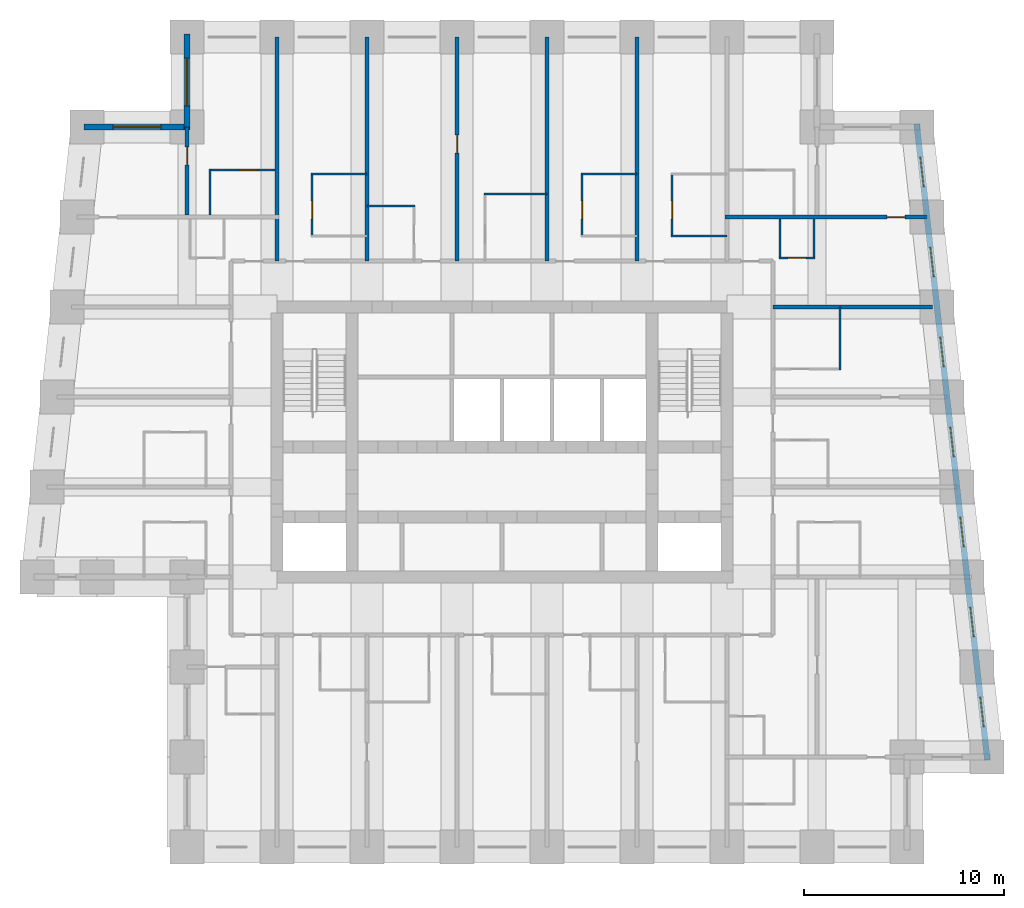
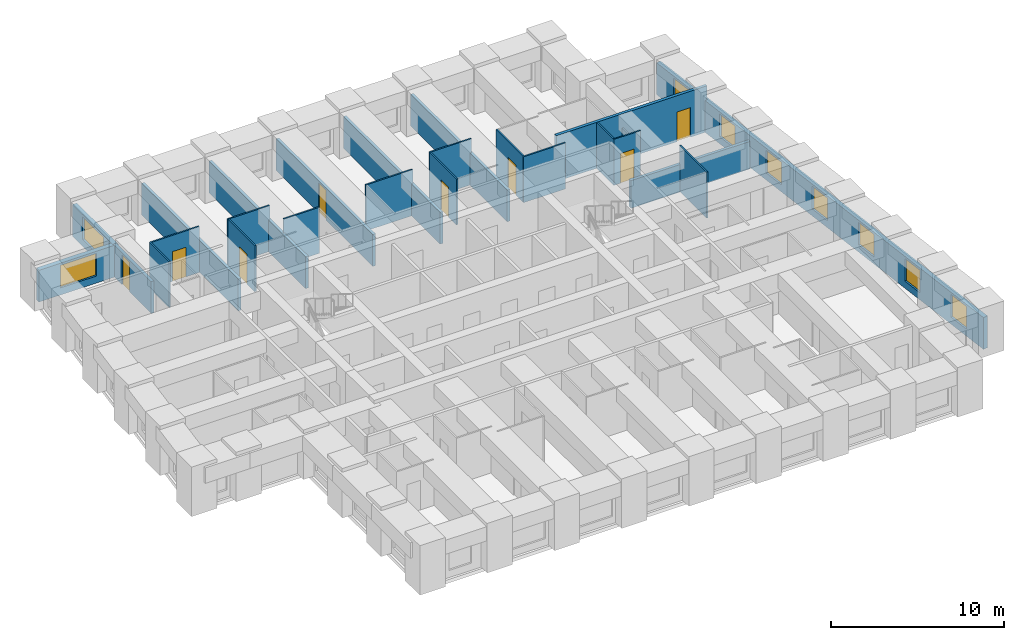
# One storey, part 6 of 8: 25 walls, 9 windows, 8 doors, 17 openings.
"""IFC4 building model written with IfcOpenShell, lengths in metres."""

from ifc_helpers import new_model, si_unit, direction, frame, frame_2d, origin, place, context, subcontext, project, spatial, rectangle, extrude, material, layer, layer_set, type_object, element, fill, save


model = new_model("IFC4")

# Units and contexts
model_context = context("Model", 3, precision=1e-05, world=origin(), true_north=direction((0.0, 1.0)))
body_context = subcontext(model_context, "Body", "Model", "MODEL_VIEW")
ifc_project = project(units=[si_unit("LENGTHUNIT", "METRE"), si_unit("AREAUNIT", "SQUARE_METRE"), si_unit("VOLUMEUNIT", "CUBIC_METRE"), si_unit("PLANEANGLEUNIT", "RADIAN"), si_unit("MASSUNIT", "GRAM", prefix="KILO")], contexts=[model_context])

# Site, building, storey
site_placement = place(None, origin())
site = spatial("IfcSite", under=ifc_project, at=site_placement, CompositionType="ELEMENT")
building_placement = place(site_placement, origin())
building = spatial("IfcBuilding", under=site, at=building_placement, Name="Kilele Tower Hotel", CompositionType="ELEMENT")
storey_placement = place(building_placement, frame((0.0, 0.0, 165.89990234375)))
storey = spatial("IfcBuildingStorey", under=building, at=storey_placement, Name="L42", CompositionType="ELEMENT", Elevation=165.89990234375)

# Walls
ifc_material_1 = material(Name="Moisture-resistant board")
ifc_layer_1 = layer(ifc_material_1, 0.10009765625)
ifc_layer_set_1 = layer_set([ifc_layer_1], Name="Moisture-resistant board")
wall_type_1 = type_object("IfcWallType", Name="Bathroom partition 100", PredefinedType="PLUMBINGWALL", material=ifc_layer_set_1)
wall_1_placement = place(storey_placement, frame((41.64990234375, 23.85009765625, 0.0), z_axis=(0.0, 0.0, 1.0), x_axis=(0.0, 1.0, 0.0)))
element("IfcWall", 1, at=wall_1_placement, inside=storey, type_object=wall_type_1, Name="Bathroom partition 100 L42", PredefinedType="PLUMBINGWALL", context=body_context, shape_type="SweptSolid", body=[
    extrude(rectangle(XDim=3.14990234375, YDim=0.10009765625, at=frame_2d((1.574951171875, 0.0))), origin(), (0.0, 0.0, 1.0), 3.25),
])
wall_2_placement = place(storey_placement, frame((15.199951171875, 33.64990234375, 0.0), z_axis=(0.0, 0.0, 1.0), x_axis=(1.0, 0.0, 0.0)))
element("IfcWall", 2, at=wall_2_placement, inside=storey, type_object=wall_type_1, Name="Bathroom partition 100 L42", PredefinedType="PLUMBINGWALL", context=body_context, shape_type="SweptSolid", body=[
    extrude(rectangle(XDim=2.800048828125, YDim=0.10009765625, at=frame_2d((1.39990234375, 0.0))), origin(), (0.0, 0.0, 1.0), 3.25),
])

# Wall, opening, door
wall_3_placement = place(storey_placement, frame((15.25, 30.5, 0.0), z_axis=(0.0, 0.0, 1.0), x_axis=(0.0, 1.0, 0.0)))
wall_3 = element("IfcWall", 3, at=wall_3_placement, inside=storey, type_object=wall_type_1, Name="Bathroom partition 100 L42", PredefinedType="PLUMBINGWALL", context=body_context, shape_type="SweptSolid", body=[
    extrude(rectangle(XDim=3.199951171875, YDim=0.10009765625, at=frame_2d((1.60009765625, 0.0))), origin(), (0.0, 0.0, 1.0), 3.25),
])
opening_1_placement = place(wall_3_placement, frame((0.89990234375, 0.0, 0.0)))
opening_1 = element("IfcOpeningElement", 4, at=opening_1_placement, cuts=wall_3, Name="Opening D2A", PredefinedType="OPENING", context=body_context, shape_type="SweptSolid", body=[
    extrude(rectangle(XDim=0.89990234375, YDim=2.10009765625, at=frame_2d((0.449951171875, 1.050048828125))), frame((0.0, 0.06005859375, 0.0), z_axis=(0.0, -1.0, 0.0), x_axis=(1.0, 0.0, 0.0)), (0.0, 0.0, 1.0), 0.1201171875),
])
ifc_material_2 = material(Name="Timber door leaf in hardwood frame", Category="wood")
door_type_1 = type_object("IfcDoorType", Name="Bathroom door 900", OperationType="SINGLE_SWING_LEFT", PredefinedType="DOOR", material=ifc_material_2)
door_1_placement = place(opening_1_placement, origin())
door_1 = element("IfcDoor", 5, at=door_1_placement, inside=storey, type_object=door_type_1, Name="Bathroom door 4209B", OperationType="SINGLE_SWING_LEFT", OverallHeight=2.10009765625, OverallWidth=0.89990234375, PredefinedType="DOOR", context=body_context, shape_type="SweptSolid", body=[
    extrude(rectangle(XDim=0.89990234375, YDim=2.10009765625, at=frame_2d((0.449951171875, 1.050048828125))), frame((0.0, 0.02490234375, 0.0), z_axis=(0.0, -1.0, 0.0), x_axis=(1.0, 0.0, 0.0)), (0.0, 0.0, 1.0), 0.050048828125),
])
fill(opening_1, door_1)

# Walls
wall_4_placement = place(storey_placement, frame((18.0, 32.050048828125, 0.0), z_axis=(0.0, 0.0, 1.0), x_axis=(1.0, 0.0, 0.0)))
element("IfcWall", 6, at=wall_4_placement, inside=storey, type_object=wall_type_1, Name="Bathroom partition 100 L42", PredefinedType="PLUMBINGWALL", context=body_context, shape_type="SweptSolid", body=[
    extrude(rectangle(XDim=2.39990234375, YDim=0.10009765625, at=frame_2d((1.199951171875, 0.0))), origin(), (0.0, 0.0, 1.0), 3.25),
])
wall_5_placement = place(storey_placement, frame((23.85009765625, 32.64990234375, 0.0), z_axis=(0.0, 0.0, 1.0), x_axis=(1.0, 0.0, 0.0)))
element("IfcWall", 7, at=wall_5_placement, inside=storey, type_object=wall_type_1, Name="Bathroom partition 100 L42", PredefinedType="PLUMBINGWALL", context=body_context, shape_type="SweptSolid", body=[
    extrude(rectangle(XDim=3.14990234375, YDim=0.10009765625, at=frame_2d((1.574951171875, 0.0))), origin(), (0.0, 0.0, 1.0), 3.25),
])
wall_6_placement = place(storey_placement, frame((28.699951171875, 33.64990234375, 0.0), z_axis=(0.0, 0.0, 1.0), x_axis=(1.0, 0.0, 0.0)))
element("IfcWall", 8, at=wall_6_placement, inside=storey, type_object=wall_type_1, Name="Bathroom partition 100 L42", PredefinedType="PLUMBINGWALL", context=body_context, shape_type="SweptSolid", body=[
    extrude(rectangle(XDim=2.800048828125, YDim=0.10009765625, at=frame_2d((1.39990234375, 0.0))), origin(), (0.0, 0.0, 1.0), 3.25),
])

# Wall, opening, door
wall_7_placement = place(storey_placement, frame((28.75, 30.5, 0.0), z_axis=(0.0, 0.0, 1.0), x_axis=(0.0, 1.0, 0.0)))
wall_7 = element("IfcWall", 9, at=wall_7_placement, inside=storey, type_object=wall_type_1, Name="Bathroom partition 100 L42", PredefinedType="PLUMBINGWALL", context=body_context, shape_type="SweptSolid", body=[
    extrude(rectangle(XDim=3.199951171875, YDim=0.10009765625, at=frame_2d((1.60009765625, 0.0))), origin(), (0.0, 0.0, 1.0), 3.25),
])
opening_2_placement = place(wall_7_placement, frame((0.89990234375, 0.0, 0.0)))
opening_2 = element("IfcOpeningElement", 10, at=opening_2_placement, cuts=wall_7, Name="Opening D2A", PredefinedType="OPENING", context=body_context, shape_type="SweptSolid", body=[
    extrude(rectangle(XDim=0.89990234375, YDim=2.10009765625, at=frame_2d((0.449951171875, 1.050048828125))), frame((0.0, 0.06005859375, 0.0), z_axis=(0.0, -1.0, 0.0), x_axis=(1.0, 0.0, 0.0)), (0.0, 0.0, 1.0), 0.1201171875),
])
door_2_placement = place(opening_2_placement, origin())
door_2 = element("IfcDoor", 11, at=door_2_placement, inside=storey, type_object=door_type_1, Name="Bathroom door 4212B", OperationType="SINGLE_SWING_LEFT", OverallHeight=2.10009765625, OverallWidth=0.89990234375, PredefinedType="DOOR", context=body_context, shape_type="SweptSolid", body=[
    extrude(rectangle(XDim=0.89990234375, YDim=2.10009765625, at=frame_2d((0.449951171875, 1.050048828125))), frame((0.0, 0.02490234375, 0.0), z_axis=(0.0, -1.0, 0.0), x_axis=(1.0, 0.0, 0.0)), (0.0, 0.0, 1.0), 0.050048828125),
])
fill(opening_2, door_2)

# Wall
wall_8_placement = place(storey_placement, frame((33.199951171875, 30.550048828125, 0.0), z_axis=(0.0, 0.0, 1.0), x_axis=(1.0, 0.0, 0.0)))
element("IfcWall", 12, at=wall_8_placement, inside=storey, type_object=wall_type_1, Name="Bathroom partition 100 L42", PredefinedType="PLUMBINGWALL", context=body_context, shape_type="SweptSolid", body=[
    extrude(rectangle(XDim=2.800048828125, YDim=0.10009765625, at=frame_2d((1.39990234375, 0.0))), origin(), (0.0, 0.0, 1.0), 3.25),
])

# Wall, opening, door
wall_9_placement = place(storey_placement, frame((33.25, 30.5, 0.0), z_axis=(0.0, 0.0, 1.0), x_axis=(0.0, 1.0, 0.0)))
wall_9 = element("IfcWall", 13, at=wall_9_placement, inside=storey, type_object=wall_type_1, Name="Bathroom partition 100 L42", PredefinedType="PLUMBINGWALL", context=body_context, shape_type="SweptSolid", body=[
    extrude(rectangle(XDim=3.199951171875, YDim=0.10009765625, at=frame_2d((1.60009765625, 0.0))), origin(), (0.0, 0.0, 1.0), 3.25),
])
opening_3_placement = place(wall_9_placement, frame((0.89990234375, 0.0, 0.0)))
opening_3 = element("IfcOpeningElement", 14, at=opening_3_placement, cuts=wall_9, Name="Opening D2A", PredefinedType="OPENING", context=body_context, shape_type="SweptSolid", body=[
    extrude(rectangle(XDim=0.89990234375, YDim=2.10009765625, at=frame_2d((0.449951171875, 1.050048828125))), frame((0.0, 0.06005859375, 0.0), z_axis=(0.0, -1.0, 0.0), x_axis=(1.0, 0.0, 0.0)), (0.0, 0.0, 1.0), 0.1201171875),
])
door_3_placement = place(opening_3_placement, origin())
door_3 = element("IfcDoor", 15, at=door_3_placement, inside=storey, type_object=door_type_1, Name="Bathroom door 4213B", OperationType="SINGLE_SWING_LEFT", OverallHeight=2.10009765625, OverallWidth=0.89990234375, PredefinedType="DOOR", context=body_context, shape_type="SweptSolid", body=[
    extrude(rectangle(XDim=0.89990234375, YDim=2.10009765625, at=frame_2d((0.449951171875, 1.050048828125))), frame((0.0, 0.02490234375, 0.0), z_axis=(0.0, -1.0, 0.0), x_axis=(1.0, 0.0, 0.0)), (0.0, 0.0, 1.0), 0.050048828125),
])
fill(opening_3, door_3)

# Walls
wall_10_placement = place(storey_placement, frame((40.35009765625, 31.39990234375, 0.0), z_axis=(0.0, 0.0, 1.0), x_axis=(0.0, -1.0, 0.0)))
element("IfcWall", 16, at=wall_10_placement, inside=storey, type_object=wall_type_1, Name="Bathroom partition 100 L42", PredefinedType="PLUMBINGWALL", context=body_context, shape_type="SweptSolid", body=[
    extrude(rectangle(XDim=2.0, YDim=0.10009765625, at=frame_2d((1.0, 0.0))), origin(), (0.0, 0.0, 1.0), 2.25),
])
wall_11_placement = place(storey_placement, frame((38.64990234375, 31.39990234375, 0.0), z_axis=(0.0, 0.0, 1.0), x_axis=(0.0, -1.0, 0.0)))
element("IfcWall", 17, at=wall_11_placement, inside=storey, type_object=wall_type_1, Name="Bathroom partition 100 L42", PredefinedType="PLUMBINGWALL", context=body_context, shape_type="SweptSolid", body=[
    extrude(rectangle(XDim=2.0, YDim=0.10009765625, at=frame_2d((1.0, 0.0))), origin(), (0.0, 0.0, 1.0), 3.25),
])

# Wall, opening, door
wall_12_placement = place(storey_placement, frame((38.60009765625, 29.449951171875, 0.0), z_axis=(0.0, 0.0, 1.0), x_axis=(1.0, 0.0, 0.0)))
wall_12 = element("IfcWall", 18, at=wall_12_placement, inside=storey, type_object=wall_type_1, Name="Bathroom partition 100 L42", PredefinedType="PLUMBINGWALL", context=body_context, shape_type="SweptSolid", body=[
    extrude(rectangle(XDim=1.7998046875, YDim=0.10009765625, at=frame_2d((0.89990234375, 0.0))), origin(), (0.0, 0.0, 1.0), 3.25),
])
opening_4_placement = place(wall_12_placement, frame((1.349853515625, 0.0, 0.0), z_axis=(0.0, 0.0, 1.0), x_axis=(-1.0, 0.0, 0.0)))
opening_4 = element("IfcOpeningElement", 19, at=opening_4_placement, cuts=wall_12, Name="Opening D2A", PredefinedType="OPENING", context=body_context, shape_type="SweptSolid", body=[
    extrude(rectangle(XDim=0.89990234375, YDim=2.10009765625, at=frame_2d((0.449951171875, 1.050048828125))), frame((0.0, 0.06005859375, 0.0), z_axis=(0.0, -1.0, 0.0), x_axis=(1.0, 0.0, 0.0)), (0.0, 0.0, 1.0), 0.1201171875),
])
door_4_placement = place(opening_4_placement, origin())
door_4 = element("IfcDoor", 20, at=door_4_placement, inside=storey, type_object=door_type_1, Name="Bathroom door 4222P", OperationType="SINGLE_SWING_RIGHT", OverallHeight=2.10009765625, OverallWidth=0.89990234375, PredefinedType="DOOR", context=body_context, shape_type="SweptSolid", body=[
    extrude(rectangle(XDim=0.89990234375, YDim=2.10009765625, at=frame_2d((0.449951171875, 1.050048828125))), frame((0.0, 0.02490234375, 0.0), z_axis=(0.0, -1.0, 0.0), x_axis=(1.0, 0.0, 0.0)), (0.0, 0.0, 1.0), 0.050048828125),
])
fill(opening_4, door_4)

# Wall
wall_13_placement = place(storey_placement, frame((10.14990234375, 31.60009765625, 0.0), z_axis=(0.0, 0.0, 1.0), x_axis=(0.0, 1.0, 0.0)))
element("IfcWall", 21, at=wall_13_placement, inside=storey, type_object=wall_type_1, Name="Bathroom partition 100 L42", PredefinedType="PLUMBINGWALL", context=body_context, shape_type="SweptSolid", body=[
    extrude(rectangle(XDim=2.2998046875, YDim=0.10009765625, at=frame_2d((1.14990234375, 0.0))), origin(), (0.0, 0.0, 1.0), 3.25),
])

# Wall, opening, door
wall_14_placement = place(storey_placement, frame((13.39990234375, 33.85009765625, 0.0), z_axis=(0.0, 0.0, 1.0), x_axis=(-1.0, 0.0, 0.0)))
wall_14 = element("IfcWall", 22, at=wall_14_placement, inside=storey, type_object=wall_type_1, Name="Bathroom partition 100 L42", PredefinedType="PLUMBINGWALL", context=body_context, shape_type="SweptSolid", body=[
    extrude(rectangle(XDim=3.2998046875, YDim=0.10009765625, at=frame_2d((1.64990234375, 0.0))), origin(), (0.0, 0.0, 1.0), 3.25),
])
opening_5_placement = place(wall_14_placement, frame((1.7998046875, 0.0, 0.0), z_axis=(0.0, 0.0, 1.0), x_axis=(-1.0, 0.0, 0.0)))
opening_5 = element("IfcOpeningElement", 23, at=opening_5_placement, cuts=wall_14, Name="Opening D2A", PredefinedType="OPENING", context=body_context, shape_type="SweptSolid", body=[
    extrude(rectangle(XDim=0.89990234375, YDim=2.10009765625, at=frame_2d((0.449951171875, 1.050048828125))), frame((0.0, 0.06005859375, 0.0), z_axis=(0.0, -1.0, 0.0), x_axis=(1.0, 0.0, 0.0)), (0.0, 0.0, 1.0), 0.1201171875),
])
door_5_placement = place(opening_5_placement, origin())
door_5 = element("IfcDoor", 24, at=door_5_placement, inside=storey, type_object=door_type_1, Name="Bathroom door 4226B", OperationType="SINGLE_SWING_RIGHT", OverallHeight=2.10009765625, OverallWidth=0.89990234375, PredefinedType="DOOR", context=body_context, shape_type="SweptSolid", body=[
    extrude(rectangle(XDim=0.89990234375, YDim=2.10009765625, at=frame_2d((0.449951171875, 1.050048828125))), frame((0.0, 0.02490234375, 0.0), z_axis=(0.0, -1.0, 0.0), x_axis=(1.0, 0.0, 0.0)), (0.0, 0.0, 1.0), 0.050048828125),
])
fill(opening_5, door_5)

ifc_material_3 = material(Name="Blockwork, plastered both sides", Category="masonry")
ifc_layer_2 = layer(ifc_material_3, 0.199951171875)
ifc_layer_set_2 = layer_set([ifc_layer_2], Name="Blockwork, plastered both sides")
wall_type_2 = type_object("IfcWallType", Name="Partition wall 200", PredefinedType="PARTITIONING", material=ifc_layer_set_2)
wall_15_placement = place(storey_placement, frame((9.0, 31.60009765625, 0.0), z_axis=(0.0, 0.0, 1.0), x_axis=(0.0, 1.0, 0.0)))
wall_15 = element("IfcWall", 25, at=wall_15_placement, inside=storey, type_object=wall_type_2, Name="Partition wall 200 L42", PredefinedType="PARTITIONING", context=body_context, shape_type="SweptSolid", body=[
    extrude(rectangle(XDim=4.39990234375, YDim=0.199951171875, at=frame_2d((2.199951171875, 0.0))), origin(), (0.0, 0.0, 1.0), 2.25),
])
opening_6_placement = place(wall_15_placement, frame((2.5, 0.0, 0.0)))
opening_6 = element("IfcOpeningElement", 26, at=opening_6_placement, cuts=wall_15, Name="Opening D3", PredefinedType="OPENING", context=body_context, shape_type="SweptSolid", body=[
    extrude(rectangle(XDim=0.89990234375, YDim=2.10009765625, at=frame_2d((0.449951171875, 1.050048828125))), frame((0.0, 0.10986328125, 0.0), z_axis=(0.0, -1.0, 0.0), x_axis=(1.0, 0.0, 0.0)), (0.0, 0.0, 1.0), 0.219970703125),
])
ifc_material_4 = material(Name="Timber door leaf in hardwood frame", Category="wood")
door_type_2 = type_object("IfcDoorType", Name="Suite internal door 900", OperationType="SINGLE_SWING_LEFT", PredefinedType="DOOR", material=ifc_material_4)
door_6_placement = place(opening_6_placement, origin())
door_6 = element("IfcDoor", 27, at=door_6_placement, inside=storey, type_object=door_type_2, Name="Suite door 4227", OperationType="SINGLE_SWING_RIGHT", OverallHeight=2.10009765625, OverallWidth=0.89990234375, PredefinedType="DOOR", context=body_context, shape_type="SweptSolid", body=[
    extrude(rectangle(XDim=0.89990234375, YDim=2.10009765625, at=frame_2d((0.449951171875, 1.050048828125))), frame((0.0, 0.02490234375, 0.0), z_axis=(0.0, -1.0, 0.0), x_axis=(1.0, 0.0, 0.0)), (0.0, 0.0, 1.0), 0.050048828125),
])
fill(opening_6, door_6)

# Wall
ifc_material_5 = material(Name="Blockwork, plastered both sides", Category="masonry")
ifc_layer_3 = layer(ifc_material_5, 0.199951171875)
ifc_layer_set_3 = layer_set([ifc_layer_3], Name="Blockwork, plastered both sides")
wall_type_3 = type_object("IfcWallType", Name="Party wall 200", PredefinedType="PARTITIONING", material=ifc_layer_set_3)
wall_16_placement = place(storey_placement, frame((18.0, 29.300048828125, 0.0), z_axis=(0.0, 0.0, 1.0), x_axis=(0.0, 1.0, 0.0)))
element("IfcWall", 28, at=wall_16_placement, inside=storey, type_object=wall_type_3, Name="Party wall 200 L42", PredefinedType="PARTITIONING", context=body_context, shape_type="SweptSolid", body=[
    extrude(rectangle(XDim=11.199951171875, YDim=0.199951171875, at=frame_2d((5.60009765625, 0.0))), origin(), (0.0, 0.0, 1.0), 2.25),
])

# Wall, opening, door
wall_17_placement = place(storey_placement, frame((22.5, 29.300048828125, 0.0), z_axis=(0.0, 0.0, 1.0), x_axis=(0.0, 1.0, 0.0)))
wall_17 = element("IfcWall", 29, at=wall_17_placement, inside=storey, type_object=wall_type_3, Name="Party wall 200 L42", PredefinedType="PARTITIONING", context=body_context, shape_type="SweptSolid", body=[
    extrude(rectangle(XDim=11.199951171875, YDim=0.199951171875, at=frame_2d((5.60009765625, 0.0))), origin(), (0.0, 0.0, 1.0), 2.25),
])
opening_7_placement = place(wall_17_placement, frame((5.39990234375, 0.0, 0.0)))
opening_7 = element("IfcOpeningElement", 30, at=opening_7_placement, cuts=wall_17, Name="Opening D3", PredefinedType="OPENING", context=body_context, shape_type="SweptSolid", body=[
    extrude(rectangle(XDim=0.89990234375, YDim=2.10009765625, at=frame_2d((0.449951171875, 1.050048828125))), frame((0.0, 0.10986328125, 0.0), z_axis=(0.0, -1.0, 0.0), x_axis=(1.0, 0.0, 0.0)), (0.0, 0.0, 1.0), 0.219970703125),
])
door_7_placement = place(opening_7_placement, origin())
door_7 = element("IfcDoor", 31, at=door_7_placement, inside=storey, type_object=door_type_2, Name="Suite door 4211", OperationType="SINGLE_SWING_RIGHT", OverallHeight=2.10009765625, OverallWidth=0.89990234375, PredefinedType="DOOR", context=body_context, shape_type="SweptSolid", body=[
    extrude(rectangle(XDim=0.89990234375, YDim=2.10009765625, at=frame_2d((0.449951171875, 1.050048828125))), frame((0.0, 0.02490234375, 0.0), z_axis=(0.0, -1.0, 0.0), x_axis=(1.0, 0.0, 0.0)), (0.0, 0.0, 1.0), 0.050048828125),
])
fill(opening_7, door_7)

# Walls
for number, where, z_axis, x_axis, name in (
    (32, (27.0, 29.300048828125, 0.0), (0.0, 0.0, 1.0), (0.0, 1.0, 0.0), "Party wall 200 L42"),
    (33, (31.5, 29.300048828125, 0.0), (0.0, 0.0, 1.0), (0.0, 1.0, 0.0), "Party wall 200 L42"),
):
    element("IfcWall", number, at=place(storey_placement, frame(where, z_axis=z_axis, x_axis=x_axis)), inside=storey, type_object=wall_type_3, Name=name, PredefinedType="PARTITIONING", context=body_context, shape_type="SweptSolid", body=[
        extrude(rectangle(XDim=11.199951171875, YDim=0.199951171875, at=frame_2d((5.60009765625, 0.0))), origin(), (0.0, 0.0, 1.0), 2.25),
    ])
wall_18_placement = place(storey_placement, frame((38.300048828125, 27.0, 0.0), z_axis=(0.0, 0.0, 1.0), x_axis=(1.0, 0.0, 0.0)))
element("IfcWall", 34, at=wall_18_placement, inside=storey, type_object=wall_type_3, Name="Party wall 200 L42", PredefinedType="PARTITIONING", context=body_context, shape_type="SweptSolid", body=[
    extrude(rectangle(XDim=7.976806640625, YDim=0.199951171875, at=frame_2d((3.98828125, 0.0))), origin(), (0.0, 0.0, 1.0), 1.9501953125),
])

# Wall, opening, door
wall_19_placement = place(storey_placement, frame((35.89990234375, 31.5, 0.0), z_axis=(0.0, 0.0, 1.0), x_axis=(1.0, 0.0, 0.0)))
wall_19 = element("IfcWall", 35, at=wall_19_placement, inside=storey, type_object=wall_type_3, Name="Party wall 200 L42", PredefinedType="PARTITIONING", context=body_context, shape_type="SweptSolid", body=[
    extrude(rectangle(XDim=10.09912109375, YDim=0.199951171875, at=frame_2d((5.049560546875, 0.0))), origin(), (0.0, 0.0, 1.0), 3.25),
])
opening_8_placement = place(wall_19_placement, frame((8.09912109375, 0.0, 0.0)))
opening_8 = element("IfcOpeningElement", 36, at=opening_8_placement, cuts=wall_19, Name="Opening D3", PredefinedType="OPENING", context=body_context, shape_type="SweptSolid", body=[
    extrude(rectangle(XDim=0.89990234375, YDim=2.10009765625, at=frame_2d((0.449951171875, 1.050048828125))), frame((0.0, 0.10986328125, 0.0), z_axis=(0.0, -1.0, 0.0), x_axis=(1.0, 0.0, 0.0)), (0.0, 0.0, 1.0), 0.219970703125),
])
door_8_placement = place(opening_8_placement, origin())
door_8 = element("IfcDoor", 37, at=door_8_placement, inside=storey, type_object=door_type_2, Name="Suite door 4223", OperationType="SINGLE_SWING_RIGHT", OverallHeight=2.10009765625, OverallWidth=0.89990234375, PredefinedType="DOOR", context=body_context, shape_type="SweptSolid", body=[
    extrude(rectangle(XDim=0.89990234375, YDim=2.10009765625, at=frame_2d((0.449951171875, 1.050048828125))), frame((0.0, 0.02490234375, 0.0), z_axis=(0.0, -1.0, 0.0), x_axis=(1.0, 0.0, 0.0)), (0.0, 0.0, 1.0), 0.050048828125),
])
fill(opening_8, door_8)

# Wall
wall_20_placement = place(storey_placement, frame((13.5, 29.300048828125, 0.0), z_axis=(0.0, 0.0, 1.0), x_axis=(0.0, 1.0, 0.0)))
element("IfcWall", 38, at=wall_20_placement, inside=storey, type_object=wall_type_3, Name="Party wall 200 L42", PredefinedType="PARTITIONING", context=body_context, shape_type="SweptSolid", body=[
    extrude(rectangle(XDim=11.199951171875, YDim=0.199951171875, at=frame_2d((5.60009765625, 0.0))), origin(), (0.0, 0.0, 1.0), 2.25),
])

# Wall, openings, windows
ifc_material_6 = material(Name="Concrete C40/50 precast", Category="concrete")
ifc_layer_4 = layer(ifc_material_6, 0.260009765625, Name="Precast backing", Category="LoadBearing")
ifc_material_7 = material(Name="Reconstituted stone finish", Category="masonry")
ifc_layer_5 = layer(ifc_material_7, 0.0400390625, Name="Face mix", Category="Finish")
ifc_layer_set_4 = layer_set([ifc_layer_4, ifc_layer_5], Name="Precast concrete C40/50, reconstituted stone finish")
wall_type_4 = type_object("IfcWallType", Name="Precast stone facade wall 300", PredefinedType="STANDARD", material=ifc_layer_set_4)
wall_21_placement = place(storey_placement, frame((49.0166015625, 4.350830078125, 0.0), z_axis=(0.0, 0.0, 1.0), x_axis=(-0.110433201132, 0.993883548555, 0.0)))
wall_21 = element("IfcWall", 39, at=wall_21_placement, inside=storey, type_object=wall_type_4, Name="Facade wall L42 edge 6", PredefinedType="STANDARD", context=body_context, shape_type="SweptSolid", body=[
    extrude(rectangle(XDim=31.994140625, YDim=0.300048828125, at=frame_2d((15.9970703125, 0.0))), origin(), (0.0, 0.0, 1.0), 2.25),
])
opening_9_placement = place(wall_21_placement, frame((1.6640625, 0.0, 0.5)))
opening_9 = element("IfcOpeningElement", 40, at=opening_9_placement, cuts=wall_21, Name="Opening W3", PredefinedType="OPENING", context=body_context, shape_type="SweptSolid", body=[
    extrude(rectangle(XDim=1.5, YDim=1.60009765625, at=frame_2d((0.75, 0.800048828125))), frame((0.0, 0.159912109375, 0.0), z_axis=(0.0, -1.0, 0.0), x_axis=(1.0, 0.0, 0.0)), (0.0, 0.0, 1.0), 0.320068359375),
])
opening_10_placement = place(wall_21_placement, frame((6.19189453125, 0.0, 0.5)))
opening_10 = element("IfcOpeningElement", 41, at=opening_10_placement, cuts=wall_21, Name="Opening W3", PredefinedType="OPENING", context=body_context, shape_type="SweptSolid", body=[
    extrude(rectangle(XDim=1.5, YDim=1.60009765625, at=frame_2d((0.75, 0.800048828125))), frame((0.0, 0.159912109375, 0.0), z_axis=(0.0, -1.0, 0.0), x_axis=(1.0, 0.0, 0.0)), (0.0, 0.0, 1.0), 0.320068359375),
])
opening_11_placement = place(wall_21_placement, frame((10.718994140625, 0.0, 0.5)))
opening_11 = element("IfcOpeningElement", 42, at=opening_11_placement, cuts=wall_21, Name="Opening W3", PredefinedType="OPENING", context=body_context, shape_type="SweptSolid", body=[
    extrude(rectangle(XDim=1.5, YDim=1.60009765625, at=frame_2d((0.75, 0.800048828125))), frame((0.0, 0.159912109375, 0.0), z_axis=(0.0, -1.0, 0.0), x_axis=(1.0, 0.0, 0.0)), (0.0, 0.0, 1.0), 0.320068359375),
])
opening_12_placement = place(wall_21_placement, frame((15.2470703125, 0.0, 0.5)))
opening_12 = element("IfcOpeningElement", 43, at=opening_12_placement, cuts=wall_21, Name="Opening W3", PredefinedType="OPENING", context=body_context, shape_type="SweptSolid", body=[
    extrude(rectangle(XDim=1.5, YDim=1.60009765625, at=frame_2d((0.75, 0.800048828125))), frame((0.0, 0.159912109375, 0.0), z_axis=(0.0, -1.0, 0.0), x_axis=(1.0, 0.0, 0.0)), (0.0, 0.0, 1.0), 0.320068359375),
])
opening_13_placement = place(wall_21_placement, frame((19.77490234375, 0.0, 0.5)))
opening_13 = element("IfcOpeningElement", 44, at=opening_13_placement, cuts=wall_21, Name="Opening W3", PredefinedType="OPENING", context=body_context, shape_type="SweptSolid", body=[
    extrude(rectangle(XDim=1.5, YDim=1.60009765625, at=frame_2d((0.75, 0.800048828125))), frame((0.0, 0.159912109375, 0.0), z_axis=(0.0, -1.0, 0.0), x_axis=(1.0, 0.0, 0.0)), (0.0, 0.0, 1.0), 0.320068359375),
])
opening_14_placement = place(wall_21_placement, frame((24.302001953125, 0.0, 0.5)))
opening_14 = element("IfcOpeningElement", 45, at=opening_14_placement, cuts=wall_21, Name="Opening W3", PredefinedType="OPENING", context=body_context, shape_type="SweptSolid", body=[
    extrude(rectangle(XDim=1.5, YDim=1.60009765625, at=frame_2d((0.75, 0.800048828125))), frame((0.0, 0.159912109375, 0.0), z_axis=(0.0, -1.0, 0.0), x_axis=(1.0, 0.0, 0.0)), (0.0, 0.0, 1.0), 0.320068359375),
])
opening_15_placement = place(wall_21_placement, frame((28.830078125, 0.0, 0.5)))
opening_15 = element("IfcOpeningElement", 46, at=opening_15_placement, cuts=wall_21, Name="Opening W3", PredefinedType="OPENING", context=body_context, shape_type="SweptSolid", body=[
    extrude(rectangle(XDim=1.5, YDim=1.60009765625, at=frame_2d((0.75, 0.800048828125))), frame((0.0, 0.159912109375, 0.0), z_axis=(0.0, -1.0, 0.0), x_axis=(1.0, 0.0, 0.0)), (0.0, 0.0, 1.0), 0.320068359375),
])
ifc_material_8 = material(Name="Aluminium frame, clear double glazing", Category="aluminium")
window_type_1 = type_object("IfcWindowType", Name="Window W3 1500 x 1600", PartitioningType="SINGLE_PANEL", PredefinedType="WINDOW", material=ifc_material_8)
window_1_placement = place(opening_9_placement, origin())
window_1 = element("IfcWindow", 47, at=window_1_placement, inside=storey, type_object=window_type_1, Name="Window L42", OverallHeight=1.60009765625, OverallWidth=1.5, PartitioningType="SINGLE_PANEL", PredefinedType="WINDOW", context=body_context, shape_type="SweptSolid", body=[
    extrude(rectangle(XDim=1.5, YDim=1.60009765625, at=frame_2d((0.75, 0.800048828125))), frame((0.0, 0.030029296875, 0.0), z_axis=(0.0, -1.0, 0.0), x_axis=(1.0, 0.0, 0.0)), (0.0, 0.0, 1.0), 0.06005859375),
])
fill(opening_9, window_1)
window_2_placement = place(opening_10_placement, origin())
window_2 = element("IfcWindow", 48, at=window_2_placement, inside=storey, type_object=window_type_1, Name="Window L42", OverallHeight=1.60009765625, OverallWidth=1.5, PartitioningType="SINGLE_PANEL", PredefinedType="WINDOW", context=body_context, shape_type="SweptSolid", body=[
    extrude(rectangle(XDim=1.5, YDim=1.60009765625, at=frame_2d((0.75, 0.800048828125))), frame((0.0, 0.030029296875, 0.0), z_axis=(0.0, -1.0, 0.0), x_axis=(1.0, 0.0, 0.0)), (0.0, 0.0, 1.0), 0.06005859375),
])
fill(opening_10, window_2)
window_3_placement = place(opening_11_placement, origin())
window_3 = element("IfcWindow", 49, at=window_3_placement, inside=storey, type_object=window_type_1, Name="Window L42", OverallHeight=1.60009765625, OverallWidth=1.5, PartitioningType="SINGLE_PANEL", PredefinedType="WINDOW", context=body_context, shape_type="SweptSolid", body=[
    extrude(rectangle(XDim=1.5, YDim=1.60009765625, at=frame_2d((0.75, 0.800048828125))), frame((0.0, 0.030029296875, 0.0), z_axis=(0.0, -1.0, 0.0), x_axis=(1.0, 0.0, 0.0)), (0.0, 0.0, 1.0), 0.06005859375),
])
fill(opening_11, window_3)
window_4_placement = place(opening_12_placement, origin())
window_4 = element("IfcWindow", 50, at=window_4_placement, inside=storey, type_object=window_type_1, Name="Window L42", OverallHeight=1.60009765625, OverallWidth=1.5, PartitioningType="SINGLE_PANEL", PredefinedType="WINDOW", context=body_context, shape_type="SweptSolid", body=[
    extrude(rectangle(XDim=1.5, YDim=1.60009765625, at=frame_2d((0.75, 0.800048828125))), frame((0.0, 0.030029296875, 0.0), z_axis=(0.0, -1.0, 0.0), x_axis=(1.0, 0.0, 0.0)), (0.0, 0.0, 1.0), 0.06005859375),
])
fill(opening_12, window_4)
window_5_placement = place(opening_13_placement, origin())
window_5 = element("IfcWindow", 51, at=window_5_placement, inside=storey, type_object=window_type_1, Name="Window L42", OverallHeight=1.60009765625, OverallWidth=1.5, PartitioningType="SINGLE_PANEL", PredefinedType="WINDOW", context=body_context, shape_type="SweptSolid", body=[
    extrude(rectangle(XDim=1.5, YDim=1.60009765625, at=frame_2d((0.75, 0.800048828125))), frame((0.0, 0.030029296875, 0.0), z_axis=(0.0, -1.0, 0.0), x_axis=(1.0, 0.0, 0.0)), (0.0, 0.0, 1.0), 0.06005859375),
])
fill(opening_13, window_5)
window_6_placement = place(opening_14_placement, origin())
window_6 = element("IfcWindow", 52, at=window_6_placement, inside=storey, type_object=window_type_1, Name="Window L42", OverallHeight=1.60009765625, OverallWidth=1.5, PartitioningType="SINGLE_PANEL", PredefinedType="WINDOW", context=body_context, shape_type="SweptSolid", body=[
    extrude(rectangle(XDim=1.5, YDim=1.60009765625, at=frame_2d((0.75, 0.800048828125))), frame((0.0, 0.030029296875, 0.0), z_axis=(0.0, -1.0, 0.0), x_axis=(1.0, 0.0, 0.0)), (0.0, 0.0, 1.0), 0.06005859375),
])
fill(opening_14, window_6)
window_7_placement = place(opening_15_placement, origin())
window_7 = element("IfcWindow", 53, at=window_7_placement, inside=storey, type_object=window_type_1, Name="Window L42", OverallHeight=1.60009765625, OverallWidth=1.5, PartitioningType="SINGLE_PANEL", PredefinedType="WINDOW", context=body_context, shape_type="SweptSolid", body=[
    extrude(rectangle(XDim=1.5, YDim=1.60009765625, at=frame_2d((0.75, 0.800048828125))), frame((0.0, 0.030029296875, 0.0), z_axis=(0.0, -1.0, 0.0), x_axis=(1.0, 0.0, 0.0)), (0.0, 0.0, 1.0), 0.06005859375),
])
fill(opening_15, window_7)

# Wall, opening, window
wall_22_placement = place(storey_placement, frame((9.0, 40.64990234375, 0.0), z_axis=(0.0, 0.0, 1.0), x_axis=(0.0, -1.0, 0.0)))
wall_22 = element("IfcWall", 54, at=wall_22_placement, inside=storey, type_object=wall_type_4, Name="Facade wall L42 edge 10", PredefinedType="STANDARD", context=body_context, shape_type="SweptSolid", body=[
    extrude(rectangle(XDim=4.7998046875, YDim=0.300048828125, at=frame_2d((2.39990234375, 0.0))), origin(), (0.0, 0.0, 1.0), 2.25),
])
opening_16_placement = place(wall_22_placement, frame((1.199951171875, 0.0, 0.5)))
opening_16 = element("IfcOpeningElement", 55, at=opening_16_placement, cuts=wall_22, Name="Opening W3", PredefinedType="OPENING", context=body_context, shape_type="SweptSolid", body=[
    extrude(rectangle(XDim=2.39990234375, YDim=1.60009765625, at=frame_2d((1.199951171875, 0.800048828125))), frame((0.0, 0.159912109375, 0.0), z_axis=(0.0, -1.0, 0.0), x_axis=(1.0, 0.0, 0.0)), (0.0, 0.0, 1.0), 0.320068359375),
])
ifc_material_9 = material(Name="Aluminium frame, clear double glazing", Category="aluminium")
window_type_2 = type_object("IfcWindowType", Name="Window W3 2400 x 1600", PartitioningType="SINGLE_PANEL", PredefinedType="WINDOW", material=ifc_material_9)
window_8_placement = place(opening_16_placement, origin())
window_8 = element("IfcWindow", 56, at=window_8_placement, inside=storey, type_object=window_type_2, Name="Window L42", OverallHeight=1.60009765625, OverallWidth=2.39990234375, PartitioningType="SINGLE_PANEL", PredefinedType="WINDOW", context=body_context, shape_type="SweptSolid", body=[
    extrude(rectangle(XDim=2.39990234375, YDim=1.60009765625, at=frame_2d((1.199951171875, 0.800048828125))), frame((0.0, 0.030029296875, 0.0), z_axis=(0.0, -1.0, 0.0), x_axis=(1.0, 0.0, 0.0)), (0.0, 0.0, 1.0), 0.06005859375),
])
fill(opening_16, window_8)

wall_23_placement = place(storey_placement, frame((9.14990234375, 36.0, 0.0), z_axis=(0.0, 0.0, 1.0), x_axis=(-1.0, 0.0, 0.0)))
wall_23 = element("IfcWall", 57, at=wall_23_placement, inside=storey, type_object=wall_type_4, Name="Facade wall L42 edge 11", PredefinedType="STANDARD", context=body_context, shape_type="SweptSolid", body=[
    extrude(rectangle(XDim=5.2998046875, YDim=0.300048828125, at=frame_2d((2.64990234375, 0.0))), origin(), (0.0, 0.0, 1.0), 2.25),
])
opening_17_placement = place(wall_23_placement, frame((1.449951171875, 0.0, 0.5)))
opening_17 = element("IfcOpeningElement", 58, at=opening_17_placement, cuts=wall_23, Name="Opening W3", PredefinedType="OPENING", context=body_context, shape_type="SweptSolid", body=[
    extrude(rectangle(XDim=2.39990234375, YDim=1.60009765625, at=frame_2d((1.199951171875, 0.800048828125))), frame((0.0, 0.159912109375, 0.0), z_axis=(0.0, -1.0, 0.0), x_axis=(1.0, 0.0, 0.0)), (0.0, 0.0, 1.0), 0.320068359375),
])
window_9_placement = place(opening_17_placement, origin())
window_9 = element("IfcWindow", 59, at=window_9_placement, inside=storey, type_object=window_type_2, Name="Window L42", OverallHeight=1.60009765625, OverallWidth=2.39990234375, PartitioningType="SINGLE_PANEL", PredefinedType="WINDOW", context=body_context, shape_type="SweptSolid", body=[
    extrude(rectangle(XDim=2.39990234375, YDim=1.60009765625, at=frame_2d((1.199951171875, 0.800048828125))), frame((0.0, 0.030029296875, 0.0), z_axis=(0.0, -1.0, 0.0), x_axis=(1.0, 0.0, 0.0)), (0.0, 0.0, 1.0), 0.06005859375),
])
fill(opening_17, window_9)

save(model, "model.ifc")
